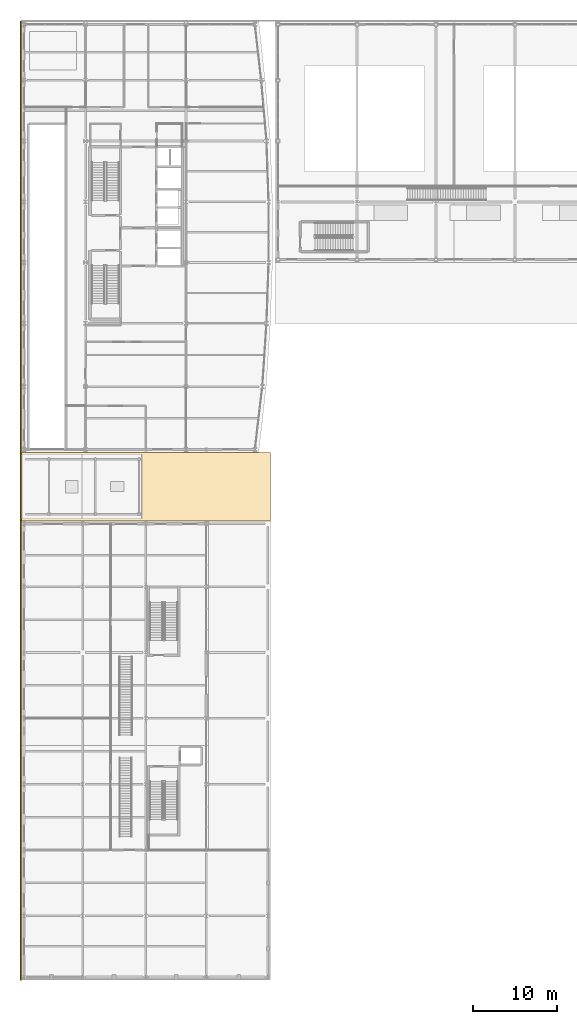
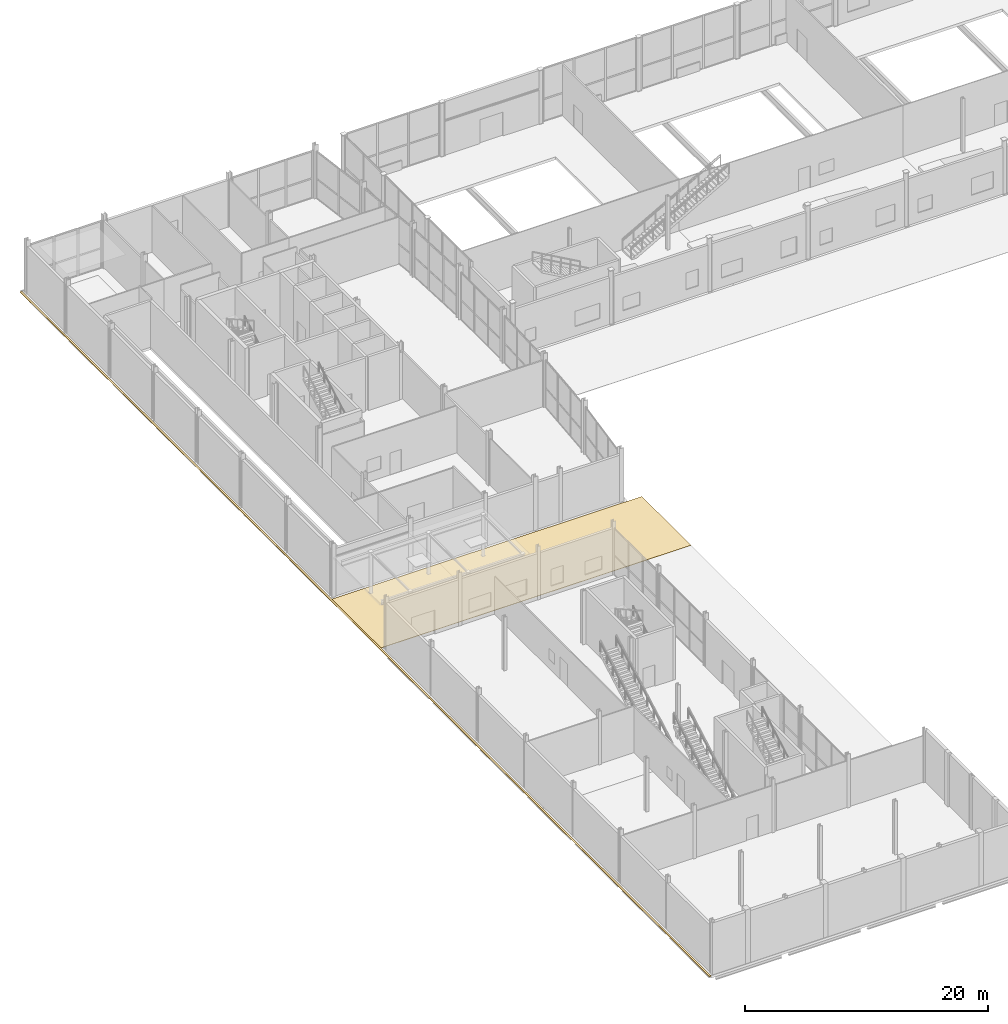
# One storey, part 78 of 83: 2 coverings.
"""IFC4 building model written with IfcOpenShell, lengths in metres."""

from ifc_helpers import new_model, si_unit, direction, frame, origin, place, context, subcontext, project, spatial, polyline, outline, extrude, material, layer, layer_set, type_object, element, save


model = new_model("IFC4")

# Units and contexts
model_context = context("Model", 3, precision=1e-05, world=origin(), true_north=direction((0.0, 1.0)))
body_context = subcontext(model_context, "Body", "Model", "MODEL_VIEW")
ifc_project = project(units=[si_unit("LENGTHUNIT", "METRE"), si_unit("AREAUNIT", "SQUARE_METRE"), si_unit("VOLUMEUNIT", "CUBIC_METRE"), si_unit("PLANEANGLEUNIT", "RADIAN"), si_unit("MASSUNIT", "GRAM", prefix="KILO")], contexts=[model_context])

# Site, building, storey
site_placement = place(None, origin())
site = spatial("IfcSite", under=ifc_project, at=site_placement, CompositionType="ELEMENT")
building_placement = place(site_placement, origin())
building = spatial("IfcBuilding", under=site, at=building_placement, Name="Quillay Park Conservatory", CompositionType="ELEMENT")
storey_placement = place(building_placement, origin())
storey = spatial("IfcBuildingStorey", under=building, at=storey_placement, Name="L00", CompositionType="ELEMENT", Elevation=0.0)

# Coverings
ifc_material = material(Name="Concrete C35/45 (NCh170 Concrete C35/45)", Category="concrete")
ifc_layer = layer(ifc_material, 0.0400390625)
ifc_layer_set = layer_set([ifc_layer], Name="FORECOURT GRANITE PAVING 40 (Concrete C35/45 (NCh170 Concrete C35/45))")
covering_type = type_object("IfcCoveringType", Name="FORECOURT GRANITE PAVING 40", PredefinedType="FLOORING", material=ifc_layer_set)
covering_1_placement = place(storey_placement, frame((0.0, 0.0, -0.0400390625)))
element("IfcCovering", 1, at=covering_1_placement, inside=storey, type_object=covering_type, Name="L00 Street Forecourt Paving and Vehicle Ramp Apron", PredefinedType="FLOORING", context=body_context, shape_type="SweptSolid", body=[
    extrude(outline(polyline([(0.25, 54.60009765625), (29.75, 54.60009765625), (29.75, 62.699951171875), (0.25, 62.699951171875), (0.25, 54.60009765625)])), origin(), (0.0, 0.0, 1.0), 0.0400390625),
])
covering_2_placement = place(storey_placement, frame((0.0, 0.0, -0.0400390625)))
element("IfcCovering", 2, at=covering_2_placement, inside=storey, type_object=covering_type, Name="L00 West Street Threshold Footway Paving", PredefinedType="FLOORING", context=body_context, shape_type="SweptSolid", body=[
    extrude(outline(polyline([(0.080078125, 0.199951171875), (0.25, 0.199951171875), (0.25, 113.800048828125), (0.080078125, 113.800048828125), (0.080078125, 0.199951171875)])), origin(), (0.0, 0.0, 1.0), 0.0400390625),
])

save(model, "model.ifc")
